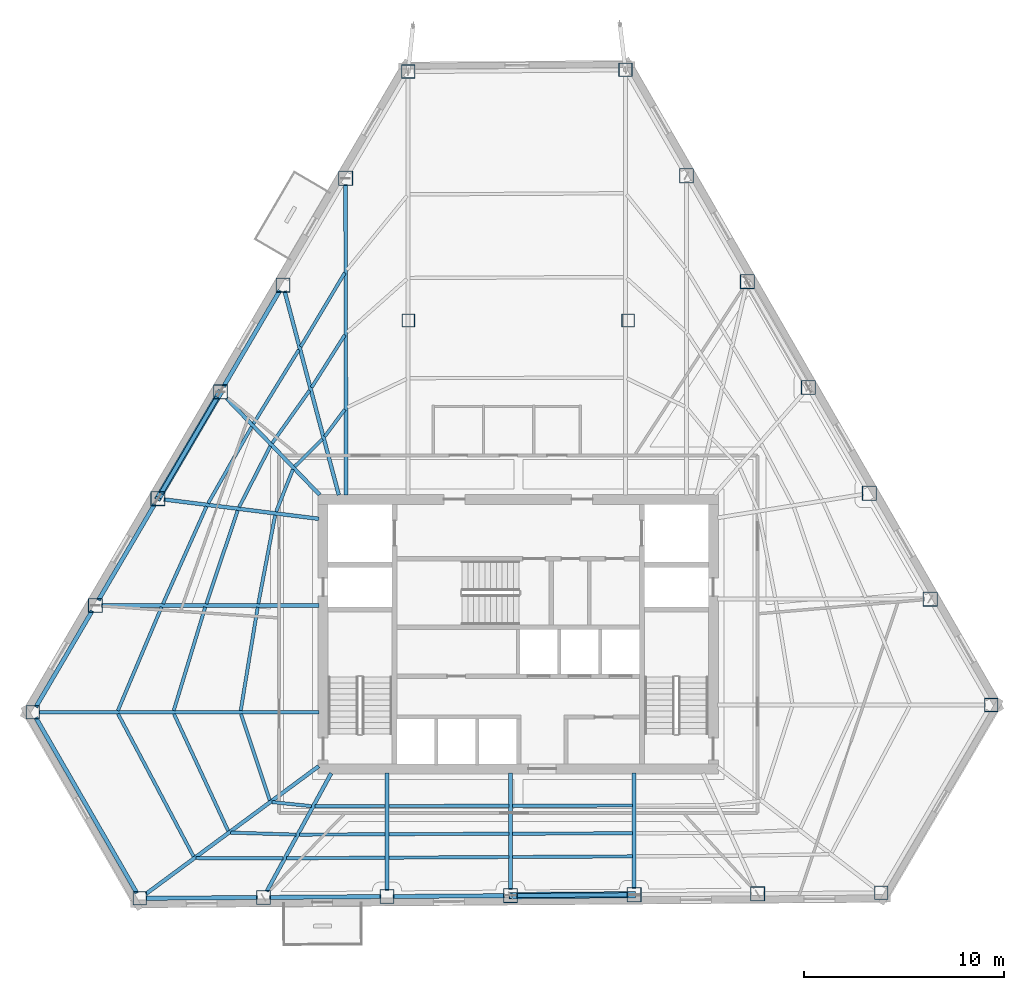
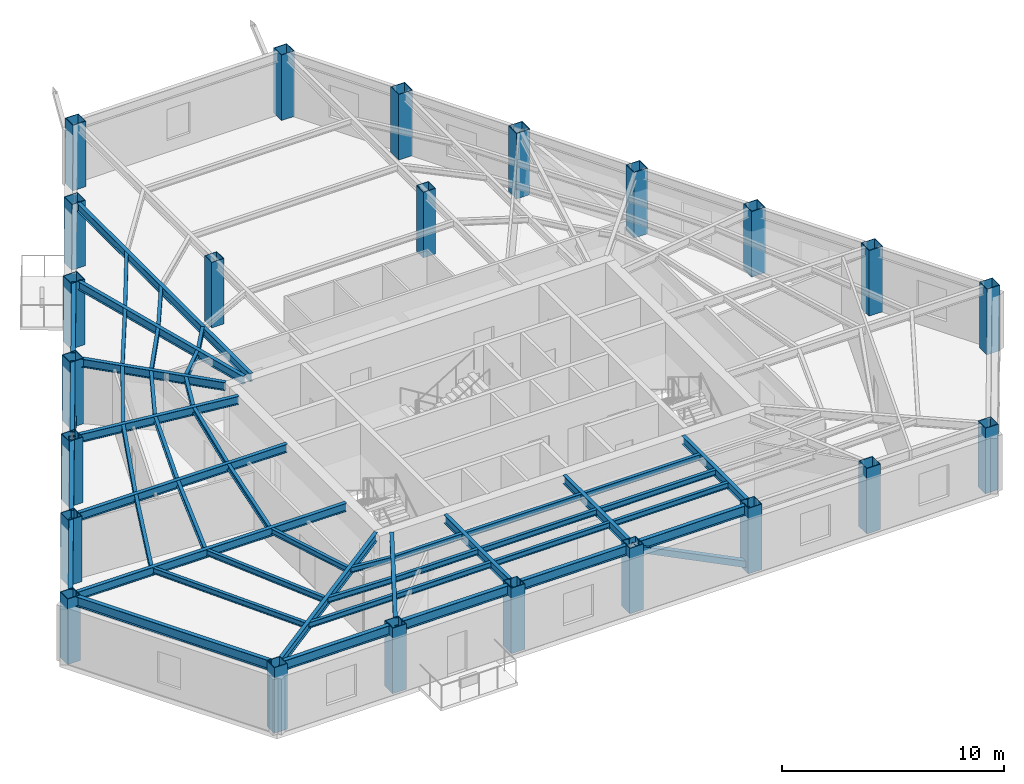
# One storey, part 1 of 12: 50 beams, 23 columns, 2 members.
"""IFC4 building model written with IfcOpenShell, lengths in metres."""

from ifc_helpers import new_model, si_unit, direction, frame, origin, origin_2d, place, context, subcontext, project, spatial, hollow_rectangle, i_section, extrude, material, material_profile, profile_set, type_object, element, save


model = new_model("IFC4")

# Units and contexts
model_context = context("Model", 3, precision=1e-05, world=origin(), true_north=direction((0.0, 1.0)))
body_context = subcontext(model_context, "Body", "Model", "MODEL_VIEW")
ifc_project = project(units=[si_unit("LENGTHUNIT", "METRE"), si_unit("AREAUNIT", "SQUARE_METRE"), si_unit("VOLUMEUNIT", "CUBIC_METRE"), si_unit("PLANEANGLEUNIT", "RADIAN"), si_unit("MASSUNIT", "GRAM", prefix="KILO")], contexts=[model_context])

# Site, building, storey
site_placement = place(None, origin())
site = spatial("IfcSite", under=ifc_project, at=site_placement, CompositionType="ELEMENT")
building_placement = place(site_placement, origin())
building = spatial("IfcBuilding", under=site, at=building_placement, Name="Kavelnor Concourse Tower", CompositionType="ELEMENT")
storey_placement = place(building_placement, frame((0.0, 0.0, 143.25)))
storey = spatial("IfcBuildingStorey", under=building, at=storey_placement, Name="L36", CompositionType="ELEMENT", Elevation=143.25)

# Columns
ifc_material = material(Name="Steel Grade 350", Category="steel")
ifc_material_profile_1 = material_profile(ifc_material, hollow_rectangle(XDim=0.679931640625, YDim=0.679931640625, WallThickness=0.030029296875, at=origin_2d()), Name="SHS 680x680x30")
ifc_profile_set_1 = profile_set([ifc_material_profile_1], Name="Steel Grade 350")
column_type_1 = type_object("IfcColumnType", Name="COL-FOLD-Z2", PredefinedType="COLUMN", material=ifc_profile_set_1)
for number, where, z_axis, x_axis, name in (
    (1, (32.4873046875, 44.261962890625, 0.0), (0.0, 0.0, 1.0), (1.0, 0.0, 0.0), "L36 Perimeter Corner-Fold Column F0-B0"),
    (2, (13.69775390625, 12.186767578125, 0.0), (0.0, 0.0, 1.0), (1.0, 0.0, 0.0), "L36 Perimeter Corner-Fold Column F0-B6"),
    (3, (19.062255859375, 2.87255859375, 0.0), (0.0, 0.0, 1.0), (1.0, 0.0, 0.0), "L36 Perimeter Corner-Fold Column F1-B0"),
    (4, (56.166259765625, 3.145751953125, 0.0), (0.0, 0.0, 1.0), (1.0, 0.0, 0.0), "L36 Perimeter Corner-Fold Column F1-B6"),
    (5, (61.676513671875, 12.552001953125, 0.0), (0.0, 0.0, 1.0), (1.0, 0.0, 0.0), "L36 Perimeter Corner-Fold Column F2-B0"),
    (6, (43.366943359375, 44.342041015625, 0.0), (0.0, 0.0, 1.0), (1.0, 0.0, 0.0), "L36 Perimeter Corner-Fold Column F2-B6"),
):
    element("IfcColumn", number, at=place(storey_placement, frame(where, z_axis=z_axis, x_axis=x_axis)), inside=storey, type_object=column_type_1, Name=name, PredefinedType="COLUMN", context=body_context, shape_type="SweptSolid", body=[
        extrude(hollow_rectangle(XDim=0.679931640625, YDim=0.679931640625, WallThickness=0.030029296875, at=origin_2d()), origin(), (0.0, 0.0, 1.0), 3.60009765625),
    ])
ifc_material_profile_2 = material_profile(ifc_material, hollow_rectangle(XDim=0.719970703125, YDim=0.719970703125, WallThickness=0.031982421875, at=origin_2d()), Name="SHS 720x720x32")
ifc_profile_set_2 = profile_set([ifc_material_profile_2], Name="Steel Grade 350")
column_type_2 = type_object("IfcColumnType", Name="COL-TUBE-Z2", PredefinedType="COLUMN", material=ifc_profile_set_2)
for number, where, z_axis, x_axis, name in (
    (7, (29.355712890625, 38.916015625, 0.0), (0.0, 0.0, 1.0), (1.0, 0.0, 0.0), "L36 Perimeter Framed-Tube Column F0-B1"),
    (8, (26.22412109375, 33.5703125, 0.0), (0.0, 0.0, 1.0), (1.0, 0.0, 0.0), "L36 Perimeter Framed-Tube Column F0-B2"),
    (9, (23.092529296875, 28.224365234375, 0.0), (0.0, 0.0, 1.0), (1.0, 0.0, 0.0), "L36 Perimeter Framed-Tube Column F0-B3"),
    (10, (19.9609375, 22.87841796875, 0.0), (0.0, 0.0, 1.0), (1.0, 0.0, 0.0), "L36 Perimeter Framed-Tube Column F0-B4"),
    (11, (16.829345703125, 17.53271484375, 0.0), (0.0, 0.0, 1.0), (1.0, 0.0, 0.0), "L36 Perimeter Framed-Tube Column F0-B5"),
    (12, (25.24609375, 2.91796875, 0.0), (0.0, 0.0, 1.0), (1.0, 0.0, 0.0), "L36 Perimeter Framed-Tube Column F1-B1"),
    (13, (31.43017578125, 2.963623046875, 0.0), (0.0, 0.0, 1.0), (1.0, 0.0, 0.0), "L36 Perimeter Framed-Tube Column F1-B2"),
    (14, (37.6142578125, 3.009033203125, 0.0), (0.0, 0.0, 1.0), (1.0, 0.0, 0.0), "L36 Perimeter Framed-Tube Column F1-B3"),
    (15, (43.798095703125, 3.0546875, 0.0), (0.0, 0.0, 1.0), (1.0, 0.0, 0.0), "L36 Perimeter Framed-Tube Column F1-B4"),
    (16, (49.982177734375, 3.10009765625, 0.0), (0.0, 0.0, 1.0), (1.0, 0.0, 0.0), "L36 Perimeter Framed-Tube Column F1-B5"),
    (17, (58.624755859375, 17.850341796875, 0.0), (0.0, 0.0, 1.0), (1.0, 0.0, 0.0), "L36 Perimeter Framed-Tube Column F2-B1"),
    (18, (55.5732421875, 23.148681640625, 0.0), (0.0, 0.0, 1.0), (1.0, 0.0, 0.0), "L36 Perimeter Framed-Tube Column F2-B2"),
    (19, (52.521728515625, 28.447021484375, 0.0), (0.0, 0.0, 1.0), (1.0, 0.0, 0.0), "L36 Perimeter Framed-Tube Column F2-B3"),
    (20, (49.47021484375, 33.745361328125, 0.0), (0.0, 0.0, 1.0), (1.0, 0.0, 0.0), "L36 Perimeter Framed-Tube Column F2-B4"),
    (21, (46.41845703125, 39.043701171875, 0.0), (0.0, 0.0, 1.0), (1.0, 0.0, 0.0), "L36 Perimeter Framed-Tube Column F2-B5"),
):
    element("IfcColumn", number, at=place(storey_placement, frame(where, z_axis=z_axis, x_axis=x_axis)), inside=storey, type_object=column_type_2, Name=name, PredefinedType="COLUMN", context=body_context, shape_type="SweptSolid", body=[
        extrude(hollow_rectangle(XDim=0.719970703125, YDim=0.719970703125, WallThickness=0.031982421875, at=origin_2d()), origin(), (0.0, 0.0, 1.0), 3.60009765625),
    ])
ifc_material_profile_3 = material_profile(ifc_material, hollow_rectangle(XDim=0.639892578125, YDim=0.639892578125, WallThickness=0.028076171875, at=origin_2d()), Name="SHS 640x640x28")
ifc_profile_set_3 = profile_set([ifc_material_profile_3], Name="Steel Grade 350")
column_type_3 = type_object("IfcColumnType", Name="COL-TUBE-Z3", PredefinedType="COLUMN", material=ifc_profile_set_3)
for number, where, z_axis, x_axis, name in (
    (22, (32.5, 31.800048828125, 0.0), (0.0, 0.0, 1.0), (1.0, 0.0, 0.0), "L36 North Interior Gravity Column BC-NW"),
    (23, (43.5, 31.800048828125, 0.0), (0.0, 0.0, 1.0), (1.0, 0.0, 0.0), "L36 North Interior Gravity Column BC-NE"),
):
    element("IfcColumn", number, at=place(storey_placement, frame(where, z_axis=z_axis, x_axis=x_axis)), inside=storey, type_object=column_type_3, Name=name, PredefinedType="COLUMN", context=body_context, shape_type="SweptSolid", body=[
        extrude(hollow_rectangle(XDim=0.639892578125, YDim=0.639892578125, WallThickness=0.028076171875, at=origin_2d()), origin(), (0.0, 0.0, 1.0), 3.60009765625),
    ])

# Beams
ifc_material_profile_4 = material_profile(ifc_material, i_section(OverallWidth=0.166015625, OverallDepth=0.306884765625, WebThickness=0.006591796875, FlangeThickness=0.01171875, at=origin_2d()), Name="310UB46")
ifc_profile_set_4 = profile_set([ifc_material_profile_4], Name="Steel Grade 350")
beam_type_1 = type_object("IfcBeamType", Name="BM-JOIST-310", PredefinedType="JOIST", material=ifc_profile_set_4)
beam_1_placement = place(storey_placement, frame((24.1220703125, 12.102294921875, 3.446533203125), z_axis=(0.316790822487, -0.948495426867, 0.0), x_axis=(0.948495426867, 0.316790822487, 0.0)))
element("IfcBeam", 24, at=beam_1_placement, inside=storey, type_object=beam_type_1, Name="L36 Secondary Composite Joist 01-1", PredefinedType="JOIST", context=body_context, shape_type="SweptSolid", body=[
    extrude(i_section(OverallWidth=0.166015625, OverallDepth=0.306884765625, WebThickness=0.006591796875, FlangeThickness=0.01171875, at=origin_2d()), origin(), (0.0, 0.0, 1.0), 4.55224609375),
])
beam_2_placement = place(storey_placement, frame((20.765869140625, 12.10595703125, 3.446533203125), z_axis=(0.420443552118, -0.907318697858, 0.0), x_axis=(0.907318697858, 0.420443552118, 0.0)))
element("IfcBeam", 25, at=beam_2_placement, inside=storey, type_object=beam_type_1, Name="L36 Secondary Composite Joist 01-2", PredefinedType="JOIST", context=body_context, shape_type="SweptSolid", body=[
    extrude(i_section(OverallWidth=0.166015625, OverallDepth=0.306884765625, WebThickness=0.006591796875, FlangeThickness=0.01171875, at=origin_2d()), origin(), (0.0, 0.0, 1.0), 6.45703125),
])
beam_3_placement = place(storey_placement, frame((17.9658203125, 12.108154296875, 3.446533203125), z_axis=(0.468094546175, -0.883678389371, 0.0), x_axis=(0.883678389371, 0.468094546175, 0.0)))
element("IfcBeam", 26, at=beam_3_placement, inside=storey, type_object=beam_type_1, Name="L36 Secondary Composite Joist 01-3", PredefinedType="JOIST", context=body_context, shape_type="SweptSolid", body=[
    extrude(i_section(OverallWidth=0.166015625, OverallDepth=0.306884765625, WebThickness=0.006591796875, FlangeThickness=0.01171875, at=origin_2d()), origin(), (0.0, 0.0, 1.0), 8.08056640625),
])
beam_4_placement = place(storey_placement, frame((25.680908203125, 7.69091796875, 3.446533203125), z_axis=(0.994744039836, -0.102392847462, 0.0), x_axis=(0.102392847462, 0.994744039836, 0.0)))
element("IfcBeam", 27, at=beam_4_placement, inside=storey, type_object=beam_type_1, Name="L36 Secondary Composite Joist 02-1", PredefinedType="JOIST", context=body_context, shape_type="SweptSolid", body=[
    extrude(i_section(OverallWidth=0.166015625, OverallDepth=0.306884765625, WebThickness=0.006591796875, FlangeThickness=0.01171875, at=origin_2d()), origin(), (0.0, 0.0, 1.0), 1.974365234375),
])
beam_5_placement = place(storey_placement, frame((23.607177734375, 6.163818359375, 3.446533203125), z_axis=(0.999527634741, -0.030732838923, 0.0), x_axis=(0.030732838923, 0.999527634741, 0.0)))
element("IfcBeam", 28, at=beam_5_placement, inside=storey, type_object=beam_type_1, Name="L36 Secondary Composite Joist 02-2", PredefinedType="JOIST", context=body_context, shape_type="SweptSolid", body=[
    extrude(i_section(OverallWidth=0.166015625, OverallDepth=0.306884765625, WebThickness=0.006591796875, FlangeThickness=0.01171875, at=origin_2d()), origin(), (0.0, 0.0, 1.0), 3.264892578125),
])
beam_6_placement = place(storey_placement, frame((21.87890625, 4.888671875, 3.446533203125), z_axis=(0.999997218148, -0.002358748914, 0.0), x_axis=(0.002358748914, 0.999997218148, 0.0)))
element("IfcBeam", 29, at=beam_6_placement, inside=storey, type_object=beam_type_1, Name="L36 Secondary Composite Joist 02-3", PredefinedType="JOIST", context=body_context, shape_type="SweptSolid", body=[
    extrude(i_section(OverallWidth=0.166015625, OverallDepth=0.306884765625, WebThickness=0.006591796875, FlangeThickness=0.01171875, at=origin_2d()), origin(), (0.0, 0.0, 1.0), 4.34716796875),
])
beam_7_placement = place(storey_placement, frame((27.822265625, 7.47998046875, 3.446533203125), z_axis=(0.999991904351, 0.00402383311, 0.0), x_axis=(-0.00402383311, 0.999991904351, 0.0)))
element("IfcBeam", 30, at=beam_7_placement, inside=storey, type_object=beam_type_1, Name="L36 Secondary Composite Joist 03-1", PredefinedType="JOIST", context=body_context, shape_type="SweptSolid", body=[
    extrude(i_section(OverallWidth=0.166015625, OverallDepth=0.306884765625, WebThickness=0.006591796875, FlangeThickness=0.01171875, at=origin_2d()), origin(), (0.0, 0.0, 1.0), 3.51904296875),
])
beam_8_placement = place(storey_placement, frame((27.048583984375, 6.061279296875, 3.446533203125), z_axis=(0.99998631166, 0.005232255057, 0.0), x_axis=(-0.005232255057, 0.99998631166, 0.0)))
element("IfcBeam", 31, at=beam_8_placement, inside=storey, type_object=beam_type_1, Name="L36 Secondary Composite Joist 03-2", PredefinedType="JOIST", context=body_context, shape_type="SweptSolid", body=[
    extrude(i_section(OverallWidth=0.166015625, OverallDepth=0.306884765625, WebThickness=0.006591796875, FlangeThickness=0.01171875, at=origin_2d()), origin(), (0.0, 0.0, 1.0), 4.292724609375),
])
beam_9_placement = place(storey_placement, frame((26.404052734375, 4.87890625, 3.446533203125), z_axis=(0.999982100623, 0.00598317926, 0.0), x_axis=(-0.00598317926, 0.999982100623, 0.0)))
element("IfcBeam", 32, at=beam_9_placement, inside=storey, type_object=beam_type_1, Name="L36 Secondary Composite Joist 03-3", PredefinedType="JOIST", context=body_context, shape_type="SweptSolid", body=[
    extrude(i_section(OverallWidth=0.166015625, OverallDepth=0.306884765625, WebThickness=0.006591796875, FlangeThickness=0.01171875, at=origin_2d()), origin(), (0.0, 0.0, 1.0), 4.937255859375),
])
for number, where, z_axis, x_axis, name in (
    (33, (31.519287109375, 7.494873046875, 3.446533203125), (0.999997934437, 0.002032516127, 0.0), (-0.002032516127, 0.999997934437, 0.0), "L36 Secondary Composite Joist 04-1"),
    (34, (31.519287109375, 6.084716796875, 3.446533203125), (0.999992699531, 0.003821110315, 0.0), (-0.003821110315, 0.999992699531, 0.0), "L36 Secondary Composite Joist 04-2"),
    (35, (31.519287109375, 4.909423828125, 3.446533203125), (0.999985821407, 0.005325127748, 0.0), (-0.005325127748, 0.999985821407, 0.0), "L36 Secondary Composite Joist 04-3"),
):
    element("IfcBeam", number, at=place(storey_placement, frame(where, z_axis=z_axis, x_axis=x_axis)), inside=storey, type_object=beam_type_1, Name=name, PredefinedType="JOIST", context=body_context, shape_type="SweptSolid", body=[
        extrude(i_section(OverallWidth=0.166015625, OverallDepth=0.306884765625, WebThickness=0.006591796875, FlangeThickness=0.01171875, at=origin_2d()), origin(), (0.0, 0.0, 1.0), 6.005859375),
    ])
for number, where, z_axis, x_axis, name in (
    (36, (37.703125, 7.507568359375, 3.446533203125), (0.999997851163, 0.002073082005, 0.0), (-0.002073082005, 0.999997851163, 0.0), "L36 Secondary Composite Joist 05-1"),
    (37, (37.703125, 6.1083984375, 3.446533203125), (0.999992700125, 0.003820954994, 0.0), (-0.003820954994, 0.999992700125, 0.0), "L36 Secondary Composite Joist 05-2"),
    (38, (37.703125, 4.942138671875, 3.446533203125), (0.999985822559, 0.005324911294, 0.0), (-0.005324911294, 0.999985822559, 0.0), "L36 Secondary Composite Joist 05-3"),
):
    element("IfcBeam", number, at=place(storey_placement, frame(where, z_axis=z_axis, x_axis=x_axis)), inside=storey, type_object=beam_type_1, Name=name, PredefinedType="JOIST", context=body_context, shape_type="SweptSolid", body=[
        extrude(i_section(OverallWidth=0.166015625, OverallDepth=0.306884765625, WebThickness=0.006591796875, FlangeThickness=0.01171875, at=origin_2d()), origin(), (0.0, 0.0, 1.0), 6.006103515625),
    ])
beam_10_placement = place(storey_placement, frame((29.31884765625, 27.34423828125, 3.446533203125), z_axis=(-0.597125536248, -0.802147800571, 0.0), x_axis=(0.802147800571, -0.597125536248, 0.0)))
element("IfcBeam", 39, at=beam_10_placement, inside=storey, type_object=beam_type_1, Name="L36 Secondary Composite Joist 17-1", PredefinedType="JOIST", context=body_context, shape_type="SweptSolid", body=[
    extrude(i_section(OverallWidth=0.166015625, OverallDepth=0.306884765625, WebThickness=0.006591796875, FlangeThickness=0.01171875, at=origin_2d()), origin(), (0.0, 0.0, 1.0), 1.687255859375),
])
beam_11_placement = place(storey_placement, frame((29.319091796875, 31.073974609375, 3.446533203125), z_axis=(-0.534884093011, -0.844925444666, 0.0), x_axis=(0.844925444666, -0.534884093011, 0.0)))
element("IfcBeam", 40, at=beam_11_placement, inside=storey, type_object=beam_type_1, Name="L36 Secondary Composite Joist 17-2", PredefinedType="JOIST", context=body_context, shape_type="SweptSolid", body=[
    extrude(i_section(OverallWidth=0.166015625, OverallDepth=0.306884765625, WebThickness=0.006591796875, FlangeThickness=0.01171875, at=origin_2d()), origin(), (0.0, 0.0, 1.0), 3.112060546875),
])
beam_12_placement = place(storey_placement, frame((29.316650390625, 34.183837890625, 3.446533203125), z_axis=(-0.512634876415, -0.858606710597, 0.0), x_axis=(0.858606710597, -0.512634876415, 0.0)))
element("IfcBeam", 41, at=beam_12_placement, inside=storey, type_object=beam_type_1, Name="L36 Secondary Composite Joist 17-3", PredefinedType="JOIST", context=body_context, shape_type="SweptSolid", body=[
    extrude(i_section(OverallWidth=0.166015625, OverallDepth=0.306884765625, WebThickness=0.006591796875, FlangeThickness=0.01171875, at=origin_2d()), origin(), (0.0, 0.0, 1.0), 4.30517578125),
])
beam_13_placement = place(storey_placement, frame((28.195068359375, 25.856689453125, 3.446533203125), z_axis=(-0.710367019182, -0.703831441511, 0.0), x_axis=(0.703831441511, -0.710367019182, 0.0)))
element("IfcBeam", 42, at=beam_13_placement, inside=storey, type_object=beam_type_1, Name="L36 Secondary Composite Joist 18-1", PredefinedType="JOIST", context=body_context, shape_type="SweptSolid", body=[
    extrude(i_section(OverallWidth=0.166015625, OverallDepth=0.306884765625, WebThickness=0.006591796875, FlangeThickness=0.01171875, at=origin_2d()), origin(), (0.0, 0.0, 1.0), 1.9423828125),
])
beam_14_placement = place(storey_placement, frame((27.555419921875, 28.296630859375, 3.446533203125), z_axis=(-0.579121270875, -0.815241408185, 0.0), x_axis=(0.815241408185, -0.579121270875, 0.0)))
element("IfcBeam", 43, at=beam_14_placement, inside=storey, type_object=beam_type_1, Name="L36 Secondary Composite Joist 18-2", PredefinedType="JOIST", context=body_context, shape_type="SweptSolid", body=[
    extrude(i_section(OverallWidth=0.166015625, OverallDepth=0.306884765625, WebThickness=0.006591796875, FlangeThickness=0.01171875, at=origin_2d()), origin(), (0.0, 0.0, 1.0), 3.232177734375),
])
beam_15_placement = place(storey_placement, frame((27.017578125, 30.3349609375, 3.446533203125), z_axis=(-0.523099742908, -0.852271470231, 0.0), x_axis=(0.852271470231, -0.523099742908, 0.0)))
element("IfcBeam", 44, at=beam_15_placement, inside=storey, type_object=beam_type_1, Name="L36 Secondary Composite Joist 18-3", PredefinedType="JOIST", context=body_context, shape_type="SweptSolid", body=[
    extrude(i_section(OverallWidth=0.166015625, OverallDepth=0.306884765625, WebThickness=0.006591796875, FlangeThickness=0.01171875, at=origin_2d()), origin(), (0.0, 0.0, 1.0), 4.34326171875),
])
beam_16_placement = place(storey_placement, frame((26.71923828125, 24.34423828125, 3.446533203125), z_axis=(-0.36808317101, -0.929792868987, 0.0), x_axis=(0.929792868987, -0.36808317101, 0.0)))
element("IfcBeam", 45, at=beam_16_placement, inside=storey, type_object=beam_type_1, Name="L36 Secondary Composite Joist 19-1", PredefinedType="JOIST", context=body_context, shape_type="SweptSolid", body=[
    extrude(i_section(OverallWidth=0.166015625, OverallDepth=0.306884765625, WebThickness=0.006591796875, FlangeThickness=0.01171875, at=origin_2d()), origin(), (0.0, 0.0, 1.0), 2.27978515625),
])
beam_17_placement = place(storey_placement, frame((25.591552734375, 25.509765625, 3.446533203125), z_axis=(-0.456009131662, -0.889975096192, 0.0), x_axis=(0.889975096192, -0.456009131662, 0.0)))
element("IfcBeam", 46, at=beam_17_placement, inside=storey, type_object=beam_type_1, Name="L36 Secondary Composite Joist 19-2", PredefinedType="JOIST", context=body_context, shape_type="SweptSolid", body=[
    extrude(i_section(OverallWidth=0.166015625, OverallDepth=0.306884765625, WebThickness=0.006591796875, FlangeThickness=0.01171875, at=origin_2d()), origin(), (0.0, 0.0, 1.0), 3.433349609375),
])
beam_18_placement = place(storey_placement, frame((24.655029296875, 26.47998046875, 3.446533203125), z_axis=(-0.493900943256, -0.869518175917, 0.0), x_axis=(0.869518175917, -0.493900943256, 0.0)))
element("IfcBeam", 47, at=beam_18_placement, inside=storey, type_object=beam_type_1, Name="L36 Secondary Composite Joist 19-3", PredefinedType="JOIST", context=body_context, shape_type="SweptSolid", body=[
    extrude(i_section(OverallWidth=0.166015625, OverallDepth=0.306884765625, WebThickness=0.006591796875, FlangeThickness=0.01171875, at=origin_2d()), origin(), (0.0, 0.0, 1.0), 4.40869140625),
])
beam_19_placement = place(storey_placement, frame((25.830810546875, 22.054443359375, 3.446533203125), z_axis=(-0.186871018066, -0.982384457637, 0.0), x_axis=(0.982384457637, -0.186871018066, 0.0)))
element("IfcBeam", 48, at=beam_19_placement, inside=storey, type_object=beam_type_1, Name="L36 Secondary Composite Joist 20-1", PredefinedType="JOIST", context=body_context, shape_type="SweptSolid", body=[
    extrude(i_section(OverallWidth=0.166015625, OverallDepth=0.306884765625, WebThickness=0.006591796875, FlangeThickness=0.01171875, at=origin_2d()), origin(), (0.0, 0.0, 1.0), 4.513916015625),
])
beam_20_placement = place(storey_placement, frame((23.95703125, 22.29052734375, 3.446533203125), z_axis=(-0.318766665162, -0.94783322013, 0.0), x_axis=(0.94783322013, -0.318766665162, 0.0)))
element("IfcBeam", 49, at=beam_20_placement, inside=storey, type_object=beam_type_1, Name="L36 Secondary Composite Joist 20-2", PredefinedType="JOIST", context=body_context, shape_type="SweptSolid", body=[
    extrude(i_section(OverallWidth=0.166015625, OverallDepth=0.306884765625, WebThickness=0.006591796875, FlangeThickness=0.01171875, at=origin_2d()), origin(), (0.0, 0.0, 1.0), 4.930908203125),
])
beam_21_placement = place(storey_placement, frame((22.397216796875, 22.48779296875, 3.446533203125), z_axis=(-0.408622673734, -0.912703407746, 0.0), x_axis=(0.912703407746, -0.408622673734, 0.0)))
element("IfcBeam", 50, at=beam_21_placement, inside=storey, type_object=beam_type_1, Name="L36 Secondary Composite Joist 20-3", PredefinedType="JOIST", context=body_context, shape_type="SweptSolid", body=[
    extrude(i_section(OverallWidth=0.166015625, OverallDepth=0.306884765625, WebThickness=0.006591796875, FlangeThickness=0.01171875, at=origin_2d()), origin(), (0.0, 0.0, 1.0), 5.340087890625),
])
beam_22_placement = place(storey_placement, frame((24.956298828125, 17.44482421875, 3.446533203125), z_axis=(-0.161874705953, -0.986811319135, 0.0), x_axis=(0.986811319135, -0.161874705953, 0.0)))
element("IfcBeam", 51, at=beam_22_placement, inside=storey, type_object=beam_type_1, Name="L36 Secondary Composite Joist 21-1", PredefinedType="JOIST", context=body_context, shape_type="SweptSolid", body=[
    extrude(i_section(OverallWidth=0.166015625, OverallDepth=0.306884765625, WebThickness=0.006591796875, FlangeThickness=0.01171875, at=origin_2d()), origin(), (0.0, 0.0, 1.0), 5.239501953125),
])
beam_23_placement = place(storey_placement, frame((22.3310546875, 17.447509765625, 3.446533203125), z_axis=(-0.291402208775, -0.956600623417, 0.0), x_axis=(0.956600623417, -0.291402208775, 0.0)))
element("IfcBeam", 52, at=beam_23_placement, inside=storey, type_object=beam_type_1, Name="L36 Secondary Composite Joist 21-2", PredefinedType="JOIST", context=body_context, shape_type="SweptSolid", body=[
    extrude(i_section(OverallWidth=0.166015625, OverallDepth=0.306884765625, WebThickness=0.006591796875, FlangeThickness=0.01171875, at=origin_2d()), origin(), (0.0, 0.0, 1.0), 5.41064453125),
])
beam_24_placement = place(storey_placement, frame((20.144287109375, 17.45068359375, 3.446533203125), z_axis=(-0.388652713029, -0.921384321907, 0.0), x_axis=(0.921384321907, -0.388652713029, 0.0)))
element("IfcBeam", 53, at=beam_24_placement, inside=storey, type_object=beam_type_1, Name="L36 Secondary Composite Joist 21-3", PredefinedType="JOIST", context=body_context, shape_type="SweptSolid", body=[
    extrude(i_section(OverallWidth=0.166015625, OverallDepth=0.306884765625, WebThickness=0.006591796875, FlangeThickness=0.01171875, at=origin_2d()), origin(), (0.0, 0.0, 1.0), 5.6240234375),
])
ifc_material_profile_5 = material_profile(ifc_material, i_section(OverallWidth=0.18994140625, OverallDepth=0.4541015625, WebThickness=0.008544921875, FlangeThickness=0.0126953125, at=origin_2d()), Name="460UB67")
ifc_profile_set_5 = profile_set([ifc_material_profile_5], Name="Steel Grade 350")
beam_type_2 = type_object("IfcBeamType", Name="BM-PRIMARY-460", PredefinedType="BEAM", material=ifc_profile_set_5)
beam_25_placement = place(storey_placement, frame((29.378173828125, 23.06005859375, 3.373046875), z_axis=(-0.001412494471, 0.999999002429, 0.0), x_axis=(-0.999999002429, -0.001412494471, 0.0)))
element("IfcBeam", 54, at=beam_25_placement, inside=storey, type_object=beam_type_2, Name="L36 Primary Floor Girder F0-B1", PredefinedType="BEAM", context=body_context, shape_type="SweptSolid", body=[
    extrude(i_section(OverallWidth=0.18994140625, OverallDepth=0.4541015625, WebThickness=0.008544921875, FlangeThickness=0.0126953125, at=origin_2d()), origin(), (0.0, 0.0, 1.0), 15.555908203125),
])
beam_26_placement = place(storey_placement, frame((29.01806640625, 23.061279296875, 3.373046875), z_axis=(-0.256943241358, 0.96642649525, 0.0), x_axis=(-0.96642649525, -0.256943241358, 0.0)))
element("IfcBeam", 55, at=beam_26_placement, inside=storey, type_object=beam_type_2, Name="L36 Primary Floor Girder F0-B2", PredefinedType="BEAM", context=body_context, shape_type="SweptSolid", body=[
    extrude(i_section(OverallWidth=0.18994140625, OverallDepth=0.4541015625, WebThickness=0.008544921875, FlangeThickness=0.0126953125, at=origin_2d()), origin(), (0.0, 0.0, 1.0), 10.56201171875),
])
beam_27_placement = place(storey_placement, frame((28.05859375, 23.0712890625, 3.373046875), z_axis=(-0.693933971629, 0.720038639949, 0.0), x_axis=(-0.720038639949, -0.693933971629, 0.0)))
element("IfcBeam", 56, at=beam_27_placement, inside=storey, type_object=beam_type_2, Name="L36 Primary Floor Girder F0-B3", PredefinedType="BEAM", context=body_context, shape_type="SweptSolid", body=[
    extrude(i_section(OverallWidth=0.18994140625, OverallDepth=0.4541015625, WebThickness=0.008544921875, FlangeThickness=0.0126953125, at=origin_2d()), origin(), (0.0, 0.0, 1.0), 6.724365234375),
])
beam_28_placement = place(storey_placement, frame((28.019775390625, 21.8701171875, 3.373046875), z_axis=(-0.992263939798, 0.124146179069, 0.0), x_axis=(-0.124146179069, -0.992263939798, 0.0)))
element("IfcBeam", 57, at=beam_28_placement, inside=storey, type_object=beam_type_2, Name="L36 Primary Floor Girder F0-B4", PredefinedType="BEAM", context=body_context, shape_type="SweptSolid", body=[
    extrude(i_section(OverallWidth=0.18994140625, OverallDepth=0.4541015625, WebThickness=0.008544921875, FlangeThickness=0.0126953125, at=origin_2d()), origin(), (0.0, 0.0, 1.0), 7.819091796875),
])
beam_29_placement = place(storey_placement, frame((28.02001953125, 17.53271484375, 3.373046875), z_axis=(-1.0, 0.0, 0.0), x_axis=(0.0, -1.0, 0.0)))
element("IfcBeam", 58, at=beam_29_placement, inside=storey, type_object=beam_type_2, Name="L36 Primary Floor Girder F0-B5", PredefinedType="BEAM", context=body_context, shape_type="SweptSolid", body=[
    extrude(i_section(OverallWidth=0.18994140625, OverallDepth=0.4541015625, WebThickness=0.008544921875, FlangeThickness=0.0126953125, at=origin_2d()), origin(), (0.0, 0.0, 1.0), 10.890625),
])
beam_30_placement = place(storey_placement, frame((28.02001953125, 12.186767578125, 3.373046875), z_axis=(-1.0, 0.0, 0.0), x_axis=(0.0, -1.0, 0.0)))
element("IfcBeam", 59, at=beam_30_placement, inside=storey, type_object=beam_type_2, Name="L36 Primary Floor Girder F0-B6", PredefinedType="BEAM", context=body_context, shape_type="SweptSolid", body=[
    extrude(i_section(OverallWidth=0.18994140625, OverallDepth=0.4541015625, WebThickness=0.008544921875, FlangeThickness=0.0126953125, at=origin_2d()), origin(), (0.0, 0.0, 1.0), 14.022216796875),
])
beam_31_placement = place(storey_placement, frame((28.01220703125, 9.48876953125, 3.373046875), z_axis=(-0.804129872262, -0.594453655499, 0.0), x_axis=(0.594453655499, -0.804129872262, 0.0)))
element("IfcBeam", 60, at=beam_31_placement, inside=storey, type_object=beam_type_2, Name="L36 Primary Floor Girder F1-B0", PredefinedType="BEAM", context=body_context, shape_type="SweptSolid", body=[
    extrude(i_section(OverallWidth=0.18994140625, OverallDepth=0.4541015625, WebThickness=0.008544921875, FlangeThickness=0.0126953125, at=origin_2d()), origin(), (0.0, 0.0, 1.0), 10.7470703125),
])
beam_32_placement = place(storey_placement, frame((28.635986328125, 9.135009765625, 3.373046875), z_axis=(-0.478720034493, -0.877967612487, 0.0), x_axis=(0.877967612487, -0.478720034493, 0.0)))
element("IfcBeam", 61, at=beam_32_placement, inside=storey, type_object=beam_type_2, Name="L36 Primary Floor Girder F1-B1", PredefinedType="BEAM", context=body_context, shape_type="SweptSolid", body=[
    extrude(i_section(OverallWidth=0.18994140625, OverallDepth=0.4541015625, WebThickness=0.008544921875, FlangeThickness=0.0126953125, at=origin_2d()), origin(), (0.0, 0.0, 1.0), 6.73388671875),
])
beam_33_placement = place(storey_placement, frame((31.43017578125, 9.139892578125, 3.373046875), z_axis=(0.0, -1.0, 0.0), x_axis=(1.0, 0.0, 0.0)))
element("IfcBeam", 62, at=beam_33_placement, inside=storey, type_object=beam_type_2, Name="L36 Primary Floor Girder F1-B2", PredefinedType="BEAM", context=body_context, shape_type="SweptSolid", body=[
    extrude(i_section(OverallWidth=0.18994140625, OverallDepth=0.4541015625, WebThickness=0.008544921875, FlangeThickness=0.0126953125, at=origin_2d()), origin(), (0.0, 0.0, 1.0), 5.876220703125),
])
beam_34_placement = place(storey_placement, frame((37.6142578125, 9.139892578125, 3.373046875), z_axis=(0.0, -1.0, 0.0), x_axis=(1.0, 0.0, 0.0)))
element("IfcBeam", 63, at=beam_34_placement, inside=storey, type_object=beam_type_2, Name="L36 Primary Floor Girder F1-B3", PredefinedType="BEAM", context=body_context, shape_type="SweptSolid", body=[
    extrude(i_section(OverallWidth=0.18994140625, OverallDepth=0.4541015625, WebThickness=0.008544921875, FlangeThickness=0.0126953125, at=origin_2d()), origin(), (0.0, 0.0, 1.0), 5.830810546875),
])
beam_35_placement = place(storey_placement, frame((43.798095703125, 9.139892578125, 3.373046875), z_axis=(0.0, -1.0, 0.0), x_axis=(1.0, 0.0, 0.0)))
element("IfcBeam", 64, at=beam_35_placement, inside=storey, type_object=beam_type_2, Name="L36 Primary Floor Girder F1-B4", PredefinedType="BEAM", context=body_context, shape_type="SweptSolid", body=[
    extrude(i_section(OverallWidth=0.18994140625, OverallDepth=0.4541015625, WebThickness=0.008544921875, FlangeThickness=0.0126953125, at=origin_2d()), origin(), (0.0, 0.0, 1.0), 5.785400390625),
])
ifc_material_profile_6 = material_profile(ifc_material, i_section(OverallWidth=0.208984375, OverallDepth=0.532958984375, WebThickness=0.01025390625, FlangeThickness=0.015625, at=origin_2d()), Name="530UB92")
ifc_profile_set_6 = profile_set([ifc_material_profile_6], Name="Steel Grade 350")
beam_type_3 = type_object("IfcBeamType", Name="BM-SPANDREL-Z2", PredefinedType="SPANDREL", material=ifc_profile_set_6)
for number, where, z_axis, x_axis, name in (
    (65, (26.06982421875, 33.306884765625, 3.33349609375), (-0.505468200919, -0.862845234014, 0.0), (0.862845234014, -0.505468200919, 0.0), "L36 Perimeter Tube Spandrel Beam F0-B2"),
    (66, (22.938232421875, 27.961181640625, 3.33349609375), (-0.505416594339, -0.86287546388, 0.0), (0.86287546388, -0.505416594339, 0.0), "L36 Perimeter Tube Spandrel Beam F0-B3"),
    (67, (19.806884765625, 22.615234375, 3.33349609375), (-0.505468200919, -0.862845234014, 0.0), (0.862845234014, -0.505468200919, 0.0), "L36 Perimeter Tube Spandrel Beam F0-B4"),
    (68, (16.67529296875, 17.269287109375, 3.33349609375), (-0.505468200919, -0.862845234014, 0.0), (0.862845234014, -0.505468200919, 0.0), "L36 Perimeter Tube Spandrel Beam F0-B5"),
):
    element("IfcBeam", number, at=place(storey_placement, frame(where, z_axis=z_axis, x_axis=x_axis)), inside=storey, type_object=beam_type_3, Name=name, PredefinedType="SPANDREL", context=body_context, shape_type="SweptSolid", body=[
        extrude(i_section(OverallWidth=0.208984375, OverallDepth=0.532958984375, WebThickness=0.01025390625, FlangeThickness=0.015625, at=origin_2d()), origin(), (0.0, 0.0, 1.0), 5.58544921875),
    ])
for number, where, z_axis, x_axis, name in (
    (69, (19.3671875, 2.874755859375, 3.33349609375), (0.999972927955, 0.007358216981, 0.0), (-0.007358216981, 0.999972927955, 0.0), "L36 Perimeter Tube Spandrel Beam F1-B0"),
    (70, (25.55126953125, 2.920166015625, 3.33349609375), (0.999972604723, 0.007402013499, 0.0), (-0.007402013499, 0.999972604723, 0.0), "L36 Perimeter Tube Spandrel Beam F1-B1"),
    (71, (31.735107421875, 2.9658203125, 3.33349609375), (0.999972927955, 0.007358216981, 0.0), (-0.007358216981, 0.999972927955, 0.0), "L36 Perimeter Tube Spandrel Beam F1-B2"),
    (72, (37.919189453125, 3.01123046875, 3.33349609375), (0.999972604723, 0.007402013499, 0.0), (-0.007402013499, 0.999972604723, 0.0), "L36 Perimeter Tube Spandrel Beam F1-B3"),
):
    element("IfcBeam", number, at=place(storey_placement, frame(where, z_axis=z_axis, x_axis=x_axis)), inside=storey, type_object=beam_type_3, Name=name, PredefinedType="SPANDREL", context=body_context, shape_type="SweptSolid", body=[
        extrude(i_section(OverallWidth=0.208984375, OverallDepth=0.532958984375, WebThickness=0.01025390625, FlangeThickness=0.015625, at=origin_2d()), origin(), (0.0, 0.0, 1.0), 5.57421875),
    ])
beam_36_placement = place(storey_placement, frame((13.85009765625, 11.92236328125, 3.33349609375), z_axis=(0.499069116828, -0.866562182782, 0.0), x_axis=(0.866562182782, 0.499069116828, 0.0)))
element("IfcBeam", 73, at=beam_36_placement, inside=storey, type_object=beam_type_3, Name="L36 Chamfer Facet Spandrel Beam C1", PredefinedType="SPANDREL", context=body_context, shape_type="SweptSolid", body=[
    extrude(i_section(OverallWidth=0.208984375, OverallDepth=0.532958984375, WebThickness=0.01025390625, FlangeThickness=0.015625, at=origin_2d()), origin(), (0.0, 0.0, 1.0), 10.138427734375),
])

# Members
ifc_material_profile_7 = material_profile(ifc_material, hollow_rectangle(XDim=0.320068359375, YDim=0.320068359375, WallThickness=0.01806640625, at=origin_2d()), Name="SHS 320x320x18")
ifc_profile_set_7 = profile_set([ifc_material_profile_7], Name="Steel Grade 350")
member_type = type_object("IfcMemberType", Name="MBR-TUBE-DIAG-Z2", PredefinedType="BRACE", material=ifc_profile_set_7)
member_1_placement = place(storey_placement, frame((23.092529296875, 28.224365234375, 0.219970703125), z_axis=(-0.451629859541, -0.770978329647, 0.44902437037), x_axis=(0.862855618694, -0.505450473626, 0.0)))
element("IfcMember", 74, at=member_1_placement, inside=storey, type_object=member_type, Name="L36 Framed-Tube Bracing Diagonal F0-B3", PredefinedType="BRACE", context=body_context, shape_type="SweptSolid", body=[
    extrude(hollow_rectangle(XDim=0.320068359375, YDim=0.320068359375, WallThickness=0.01806640625, at=origin_2d()), origin(), (0.0, 0.0, 1.0), 6.93408203125),
])
member_2_placement = place(storey_placement, frame((43.798095703125, 3.0546875, 0.219970703125), z_axis=(-0.893155979573, -0.006594029302, 0.449698693494), x_axis=(0.007382640604, -0.999972747938, 0.0)))
element("IfcMember", 75, at=member_2_placement, inside=storey, type_object=member_type, Name="L36 Framed-Tube Bracing Diagonal F1-B3", PredefinedType="BRACE", context=body_context, shape_type="SweptSolid", body=[
    extrude(hollow_rectangle(XDim=0.320068359375, YDim=0.320068359375, WallThickness=0.01806640625, at=origin_2d()), origin(), (0.0, 0.0, 1.0), 6.923583984375),
])

save(model, "model.ifc")
